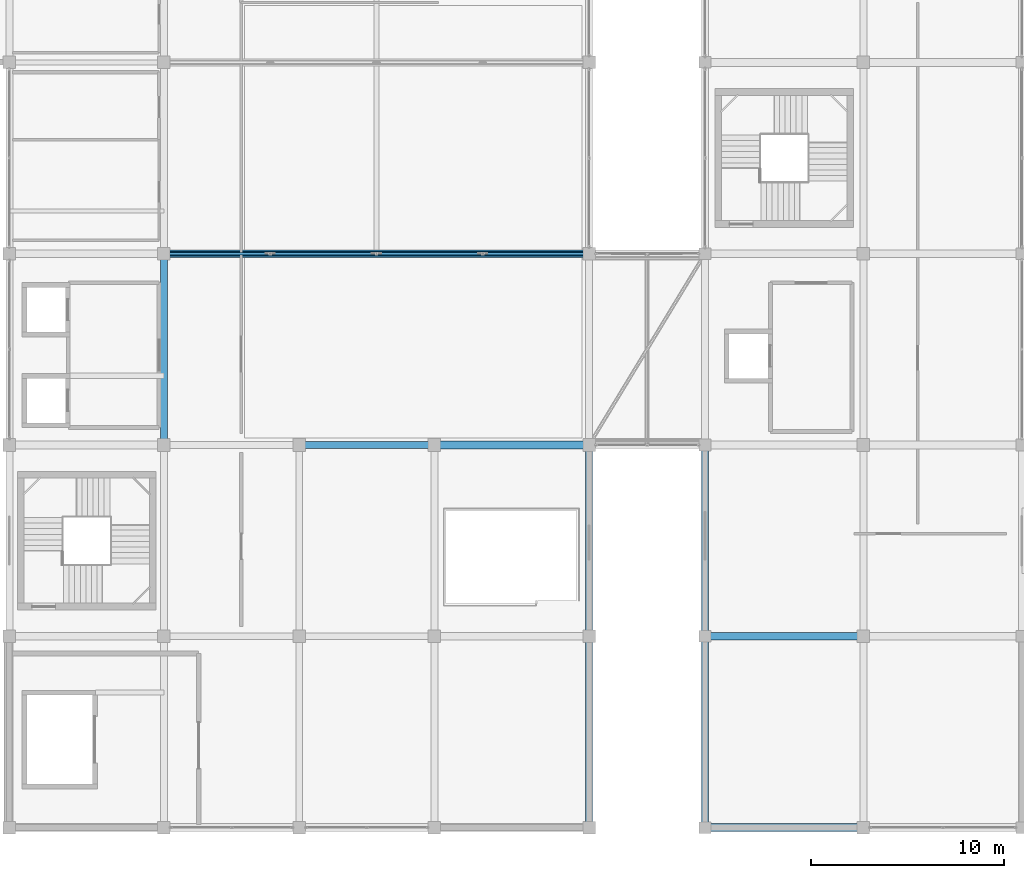
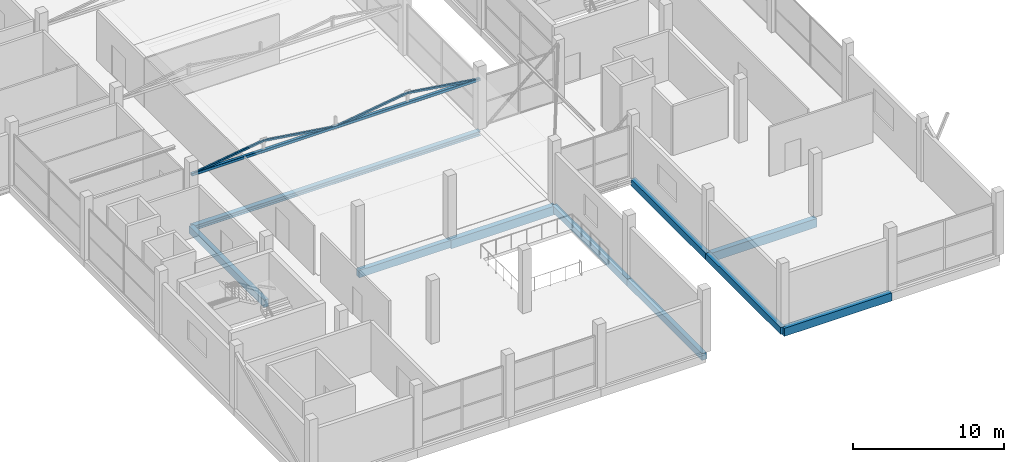
# One storey, part 9 of 58: 10 beams, 5 members.
"""IFC4 building model written with IfcOpenShell, lengths in metres."""

from ifc_helpers import new_model, si_unit, direction, frame, origin, origin_2d, place, context, subcontext, project, spatial, rectangle, hollow_rectangle, i_section, extrude, material, material_profile, profile_set, type_object, element, save


model = new_model("IFC4")

# Units and contexts
model_context = context("Model", 3, precision=1e-05, world=origin(), true_north=direction((0.0, 1.0)))
body_context = subcontext(model_context, "Body", "Model", "MODEL_VIEW")
ifc_project = project(units=[si_unit("LENGTHUNIT", "METRE"), si_unit("AREAUNIT", "SQUARE_METRE"), si_unit("VOLUMEUNIT", "CUBIC_METRE"), si_unit("PLANEANGLEUNIT", "RADIAN"), si_unit("MASSUNIT", "GRAM", prefix="KILO")], contexts=[model_context])

# Site, building, storey
site_placement = place(None, origin())
site = spatial("IfcSite", under=ifc_project, at=site_placement, CompositionType="ELEMENT")
building_placement = place(site_placement, origin())
building = spatial("IfcBuilding", under=site, at=building_placement, Name="Sillaruma Civic Art Gallery", CompositionType="ELEMENT")
storey_placement = place(building_placement, frame((0.0, 0.0, 52.02001953125)))
storey = spatial("IfcBuildingStorey", under=building, at=storey_placement, Name="L10", CompositionType="ELEMENT", Elevation=52.02001953125)

# Beams
ifc_material_1 = material(Name="Concrete H35 (35 MPa)", Category="concrete")
ifc_material_profile_1 = material_profile(ifc_material_1, rectangle(XDim=0.35009765625, YDim=0.60009765625, at=origin_2d()), Name="RCB350x600")
ifc_profile_set_1 = profile_set([ifc_material_profile_1], Name="Concrete H35 (35 MPa)")
beam_type_1 = type_object("IfcBeamType", Name="BM-BEAM-RCB350x600", PredefinedType="BEAM", material=ifc_profile_set_1)
beam_1_placement = place(storey_placement, frame((77.0, 39.60009765625, -0.550048828125), z_axis=(1.0, 0.0, 0.0), x_axis=(0.0, 1.0, 0.0)))
element("IfcBeam", 1, at=beam_1_placement, inside=storey, type_object=beam_type_1, Name="Beam BM-06 (L09:5:H-J)", PredefinedType="BEAM", context=body_context, shape_type="SweptSolid", body=[
    extrude(rectangle(XDim=0.35009765625, YDim=0.60009765625, at=origin_2d()), origin(), (0.0, 0.0, 1.0), 7.0),
])
beam_2_placement = place(storey_placement, frame((70.0, 39.60009765625, -0.550048828125), z_axis=(0.0, 1.0, 0.0), x_axis=(-1.0, 0.0, 0.0)))
element("IfcBeam", 2, at=beam_2_placement, inside=storey, type_object=beam_type_1, Name="Beam BM-06 (L09:G:5-6)", PredefinedType="BEAM", context=body_context, shape_type="SweptSolid", body=[
    extrude(rectangle(XDim=0.35009765625, YDim=0.60009765625, at=origin_2d()), origin(), (0.0, 0.0, 1.0), 9.89990234375),
])
ifc_material_profile_2 = material_profile(ifc_material_1, rectangle(XDim=0.39990234375, YDim=0.699951171875, at=origin_2d()), Name="RCB400x700")
ifc_profile_set_2 = profile_set([ifc_material_profile_2], Name="Concrete H35 (35 MPa)")
beam_type_2 = type_object("IfcBeamType", Name="BM-BEAM-RCB400x700", PredefinedType="BEAM", material=ifc_profile_set_2)
beam_3_placement = place(storey_placement, frame((98.0, 29.699951171875, -0.60009765625), z_axis=(1.0, 0.0, 0.0), x_axis=(0.0, 1.0, 0.0)))
element("IfcBeam", 3, at=beam_3_placement, inside=storey, type_object=beam_type_2, Name="Beam BM-04 (L09:4:L-M)", PredefinedType="BEAM", context=body_context, shape_type="SweptSolid", body=[
    extrude(rectangle(XDim=0.39990234375, YDim=0.699951171875, at=origin_2d()), origin(), (0.0, 0.0, 1.0), 8.199951171875),
])
beam_4_placement = place(storey_placement, frame((84.0, 39.60009765625, -0.60009765625), z_axis=(1.0, 0.0, 0.0), x_axis=(0.0, 1.0, 0.0)))
element("IfcBeam", 4, at=beam_4_placement, inside=storey, type_object=beam_type_2, Name="Beam BM-04 (L09:5:J-K)", PredefinedType="BEAM", context=body_context, shape_type="SweptSolid", body=[
    extrude(rectangle(XDim=0.39990234375, YDim=0.699951171875, at=origin_2d()), origin(), (0.0, 0.0, 1.0), 8.0),
])
ifc_material_profile_3 = material_profile(ifc_material_1, rectangle(XDim=0.35009765625, YDim=0.550048828125, at=origin_2d()), Name="RCB350x550")
ifc_profile_set_3 = profile_set([ifc_material_profile_3], Name="Concrete H35 (35 MPa)")
beam_type_3 = type_object("IfcBeamType", Name="BM-SPANDREL-RCB350x550", PredefinedType="SPANDREL", material=ifc_profile_set_3)
beam_5_placement = place(storey_placement, frame((92.0, 19.800048828125, -0.52490234375), z_axis=(0.0, 1.0, 0.0), x_axis=(-1.0, 0.0, 0.0)))
element("IfcBeam", 5, at=beam_5_placement, inside=storey, type_object=beam_type_3, Name="Beam BS-04 (L09:K:3-4)", PredefinedType="SPANDREL", context=body_context, shape_type="SweptSolid", body=[
    extrude(rectangle(XDim=0.35009765625, YDim=0.550048828125, at=origin_2d()), origin(), (0.0, 0.0, 1.0), 9.89990234375),
])
beam_6_placement = place(storey_placement, frame((92.0, 29.699951171875, -0.52490234375), z_axis=(0.0, 1.0, 0.0), x_axis=(-1.0, 0.0, 0.0)))
element("IfcBeam", 6, at=beam_6_placement, inside=storey, type_object=beam_type_3, Name="Beam BS-04 (L09:K:4-5)", PredefinedType="SPANDREL", context=body_context, shape_type="SweptSolid", body=[
    extrude(rectangle(XDim=0.35009765625, YDim=0.550048828125, at=origin_2d()), origin(), (0.0, 0.0, 1.0), 9.900146484375),
])
beam_7_placement = place(storey_placement, frame((98.0, 19.800048828125, -0.52490234375), z_axis=(0.0, 1.0, 0.0), x_axis=(-1.0, 0.0, 0.0)))
element("IfcBeam", 7, at=beam_7_placement, inside=storey, type_object=beam_type_3, Name="Beam BS-04 (L09:L:3-4)", PredefinedType="SPANDREL", context=body_context, shape_type="SweptSolid", body=[
    extrude(rectangle(XDim=0.35009765625, YDim=0.550048828125, at=origin_2d()), origin(), (0.0, 0.0, 1.0), 9.89990234375),
])
beam_8_placement = place(storey_placement, frame((98.0, 29.699951171875, -0.52490234375), z_axis=(0.0, 1.0, 0.0), x_axis=(-1.0, 0.0, 0.0)))
element("IfcBeam", 8, at=beam_8_placement, inside=storey, type_object=beam_type_3, Name="Beam BS-04 (L09:L:4-5)", PredefinedType="SPANDREL", context=body_context, shape_type="SweptSolid", body=[
    extrude(rectangle(XDim=0.35009765625, YDim=0.550048828125, at=origin_2d()), origin(), (0.0, 0.0, 1.0), 9.900146484375),
])
ifc_material_profile_4 = material_profile(ifc_material_1, rectangle(XDim=0.39990234375, YDim=0.64990234375, at=origin_2d()), Name="RCB400x650")
ifc_profile_set_4 = profile_set([ifc_material_profile_4], Name="Concrete H35 (35 MPa)")
beam_type_4 = type_object("IfcBeamType", Name="BM-SPANDREL-RCB400x650", PredefinedType="SPANDREL", material=ifc_profile_set_4)
beam_9_placement = place(storey_placement, frame((98.0, 19.800048828125, -0.574951171875), z_axis=(1.0, 0.0, 0.0), x_axis=(0.0, 1.0, 0.0)))
element("IfcBeam", 9, at=beam_9_placement, inside=storey, type_object=beam_type_4, Name="Beam BS-02 (L09:3:L-M)", PredefinedType="SPANDREL", context=body_context, shape_type="SweptSolid", body=[
    extrude(rectangle(XDim=0.39990234375, YDim=0.64990234375, at=origin_2d()), origin(), (0.0, 0.0, 1.0), 8.199951171875),
])
ifc_material_2 = material(Name="Structural Steel ASTM A992 Gr.50", Category="steel")
ifc_material_profile_5 = material_profile(ifc_material_2, i_section(OverallWidth=0.37109375, OverallDepth=0.364013671875, WebThickness=0.01318359375, FlangeThickness=0.021728515625, FilletRadius=0.014892578125, at=origin_2d()), Name="W360x162")
ifc_profile_set_5 = profile_set([ifc_material_profile_5], Name="Structural Steel ASTM A992 Gr.50")
beam_type_5 = type_object("IfcBeamType", Name="BM-TRTOP-W360x162", PredefinedType="BEAM", material=ifc_profile_set_5)
beam_10_placement = place(storey_placement, frame((70.0, 49.5, -0.43212890625), z_axis=(1.0, 0.0, 0.0), x_axis=(0.0, 1.0, 0.0)))
element("IfcBeam", 10, at=beam_10_placement, inside=storey, type_object=beam_type_5, Name="Warren Truss Top Chord TR-L09-1", PredefinedType="BEAM", context=body_context, shape_type="SweptSolid", body=[
    extrude(i_section(OverallWidth=0.37109375, OverallDepth=0.364013671875, WebThickness=0.01318359375, FlangeThickness=0.021728515625, FilletRadius=0.014892578125, at=origin_2d()), origin(), (0.0, 0.0, 1.0), 22.0),
])

# Members
ifc_material_3 = material(Name="Structural Steel ASTM A500 Gr.C", Category="steel")
ifc_material_profile_6 = material_profile(ifc_material_3, hollow_rectangle(XDim=0.14990234375, YDim=0.14990234375, WallThickness=0.010009765625, InnerFilletRadius=0.010009765625, OuterFilletRadius=0.02001953125, at=origin_2d()), Name="HSS150x150x10")
ifc_profile_set_6 = profile_set([ifc_material_profile_6], Name="Structural Steel ASTM A500 Gr.C")
member_type_1 = type_object("IfcMemberType", Name="MEM-BRACE-HSS150x150x10", PredefinedType="BRACE", material=ifc_profile_set_6)
for number, where, z_axis, x_axis, name in (
    (11, (70.0, 49.5, 3.85986328125), (0.989377720719, 0.0, 0.145367553959), (0.0, 1.0, 0.0), "Warren Truss Diagonal TR-L10-1-D1"),
    (12, (75.5, 49.5, 4.66796875), (0.989377720719, 0.0, -0.145367553959), (0.0, 1.0, 0.0), "Warren Truss Diagonal TR-L10-1-D2"),
    (13, (81.0, 49.5, 3.85986328125), (0.989377720719, 0.0, 0.145367553959), (0.0, 1.0, 0.0), "Warren Truss Diagonal TR-L10-1-D3"),
    (14, (86.5, 49.5, 4.66796875), (0.989377720719, 0.0, -0.145367553959), (0.0, 1.0, 0.0), "Warren Truss Diagonal TR-L10-1-D4"),
):
    element("IfcMember", number, at=place(storey_placement, frame(where, z_axis=z_axis, x_axis=x_axis)), inside=storey, type_object=member_type_1, Name=name, PredefinedType="BRACE", context=body_context, shape_type="SweptSolid", body=[
        extrude(hollow_rectangle(XDim=0.14990234375, YDim=0.14990234375, WallThickness=0.010009765625, InnerFilletRadius=0.010009765625, OuterFilletRadius=0.02001953125, at=origin_2d()), origin(), (0.0, 0.0, 1.0), 5.55908203125),
    ])
ifc_material_profile_7 = material_profile(ifc_material_3, hollow_rectangle(XDim=0.219970703125, YDim=0.219970703125, WallThickness=0.012451171875, InnerFilletRadius=0.012451171875, OuterFilletRadius=0.02490234375, at=origin_2d()), Name="HSS220x220x12.5")
ifc_profile_set_7 = profile_set([ifc_material_profile_7], Name="Structural Steel ASTM A500 Gr.C")
member_type_2 = type_object("IfcMemberType", Name="MEM-CHORD-HSS220x220x12.5", PredefinedType="CHORD", material=ifc_profile_set_7)
member_placement = place(storey_placement, frame((70.0, 49.5, 3.85986328125), z_axis=(1.0, 0.0, 0.0), x_axis=(0.0, 1.0, 0.0)))
element("IfcMember", 15, at=member_placement, inside=storey, type_object=member_type_2, Name="Warren Truss Bottom Chord TR-L10-1", PredefinedType="CHORD", context=body_context, shape_type="SweptSolid", body=[
    extrude(hollow_rectangle(XDim=0.219970703125, YDim=0.219970703125, WallThickness=0.012451171875, InnerFilletRadius=0.012451171875, OuterFilletRadius=0.02490234375, at=origin_2d()), origin(), (0.0, 0.0, 1.0), 22.0),
])

save(model, "model.ifc")
